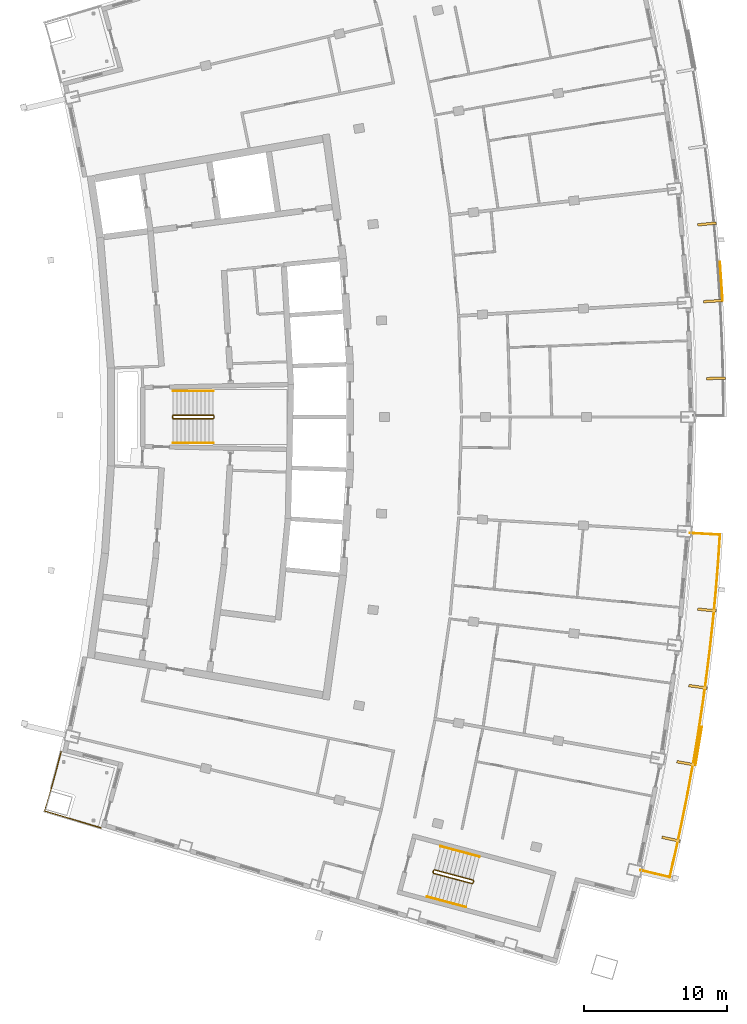
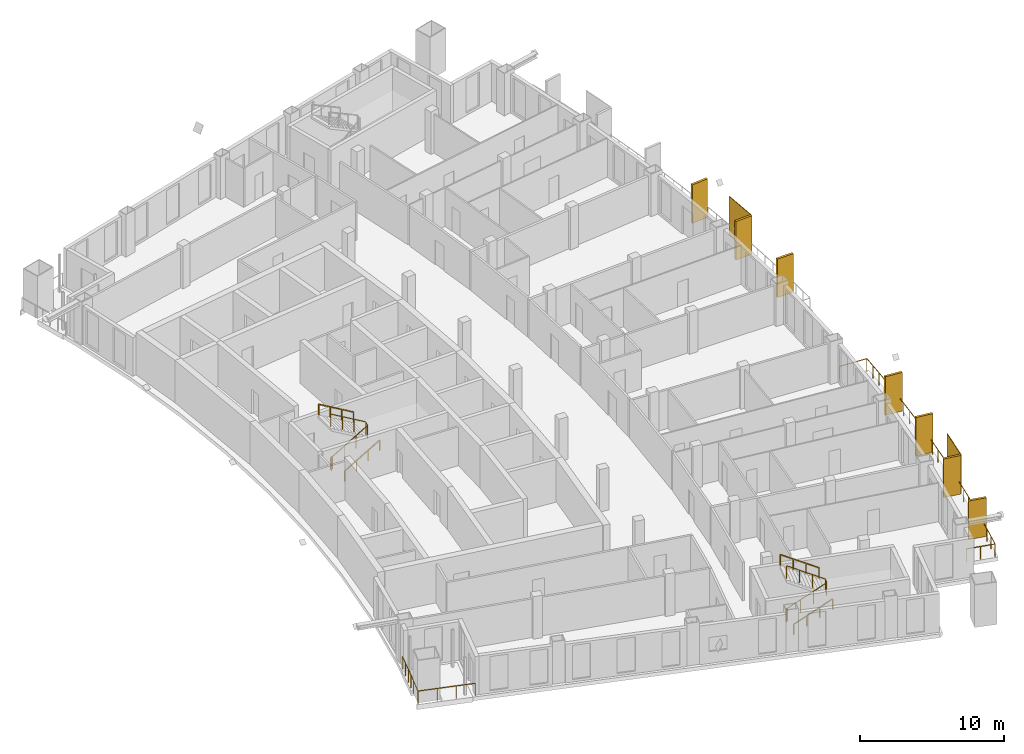
# One storey, part 14 of 15: 9 shading devices, 8 railings.
"""IFC4 building model written with IfcOpenShell, lengths in metres."""

from ifc_helpers import new_model, si_unit, direction, frame, origin, origin_with_axes, origin_2d, place, context, subcontext, project, spatial, rectangle, extrude, material, layer, layer_set, type_object, element, save


model = new_model("IFC4")

# Units and contexts
model_context = context("Model", 3, precision=1e-05, world=origin(), true_north=direction((0.0, 1.0)))
body_context = subcontext(model_context, "Body", "Model", "MODEL_VIEW")
ifc_project = project(units=[si_unit("LENGTHUNIT", "METRE"), si_unit("AREAUNIT", "SQUARE_METRE"), si_unit("VOLUMEUNIT", "CUBIC_METRE"), si_unit("PLANEANGLEUNIT", "RADIAN"), si_unit("MASSUNIT", "GRAM", prefix="KILO")], contexts=[model_context])

# Site, building, storey
site_placement = place(None, origin())
site = spatial("IfcSite", under=ifc_project, at=site_placement, CompositionType="ELEMENT")
building_placement = place(site_placement, origin())
building = spatial("IfcBuilding", under=site, at=building_placement, Name="Alderwake Tower", CompositionType="ELEMENT")
storey_placement = place(building_placement, frame((0.0, 0.0, 252.800048828125)))
storey = spatial("IfcBuildingStorey", under=building, at=storey_placement, Name="L62", CompositionType="ELEMENT", Elevation=252.800048828125)

# Railings
ifc_material_1 = material(Name="Stainless steel 316 rail and posts", Category="steel")
railing_type_1 = type_object("IfcRailingType", Name="Balcony guard 1100", PredefinedType="GUARDRAIL", material=ifc_material_1)
railing_1_placement = place(storey_placement, frame((53.69921875, 29.325927734375, 0.0)))
element("IfcRailing", 1, at=railing_1_placement, inside=storey, type_object=railing_type_1, Name="Guard BF03", PredefinedType="GUARDRAIL", context=body_context, shape_type="SweptSolid", body=[
    extrude(rectangle(XDim=0.048095703125, YDim=0.048095703125, at=origin_2d()), frame((0.0, 0.0, 1.076171875), z_axis=(0.973069996158, -0.230509831846, 0.0), x_axis=(0.230509831846, 0.973069996158, 0.0)), (0.0, 0.0, 1.0), 2.100341796875),
    extrude(rectangle(XDim=0.048095703125, YDim=0.048095703125, at=origin_2d()), frame((2.043701171875, -0.484130859375, 1.076171875), z_axis=(0.223633448533, 0.974673319988, 0.0), x_axis=(-0.974673319988, 0.223633448533, 0.0)), (0.0, 0.0, 1.0), 1.9345703125),
    extrude(rectangle(XDim=0.048095703125, YDim=0.048095703125, at=origin_2d()), frame((2.476318359375, 1.4013671875, 1.076171875), z_axis=(0.209897885741, 0.977723313398, 0.0), x_axis=(-0.977723313398, 0.209897885741, 0.0)), (0.0, 0.0, 1.0), 2.034423828125),
    extrude(rectangle(XDim=0.048095703125, YDim=0.048095703125, at=origin_2d()), frame((2.9033203125, 3.390380859375, 1.076171875), z_axis=(0.195631417955, 0.980677494546, 0.0), x_axis=(-0.980677494546, 0.195631417955, 0.0)), (0.0, 0.0, 1.0), 2.0341796875),
    extrude(rectangle(XDim=0.048095703125, YDim=0.048095703125, at=origin_2d()), frame((3.30126953125, 5.38525390625, 1.076171875), z_axis=(0.181324306286, 0.983423355402, 0.0), x_axis=(-0.983423355402, 0.181324306286, 0.0)), (0.0, 0.0, 1.0), 2.034423828125),
    extrude(rectangle(XDim=0.048095703125, YDim=0.048095703125, at=origin_2d()), frame((3.670166015625, 7.385986328125, 1.076171875), z_axis=(0.166928302152, 0.985969037009, 0.0), x_axis=(-0.985969037009, 0.166928302152, 0.0)), (0.0, 0.0, 1.0), 2.034423828125),
    extrude(rectangle(XDim=0.048095703125, YDim=0.048095703125, at=origin_2d()), frame((4.009765625, 9.391845703125, 1.076171875), z_axis=(0.152535132968, 0.988298048774, 0.0), x_axis=(-0.988298048774, 0.152535132968, 0.0)), (0.0, 0.0, 1.0), 2.034423828125),
    extrude(rectangle(XDim=0.048095703125, YDim=0.048095703125, at=origin_2d()), frame((4.320068359375, 11.40234375, 1.076171875), z_axis=(0.138127592806, 0.990414442597, 0.0), x_axis=(-0.990414442597, 0.138127592806, 0.0)), (0.0, 0.0, 1.0), 2.034423828125),
    extrude(rectangle(XDim=0.048095703125, YDim=0.048095703125, at=origin_2d()), frame((4.60107421875, 13.417236328125, 1.076171875), z_axis=(0.123606393187, 0.992331325497, 0.0), x_axis=(-0.992331325497, 0.123606393187, 0.0)), (0.0, 0.0, 1.0), 2.034423828125),
    extrude(rectangle(XDim=0.048095703125, YDim=0.048095703125, at=origin_2d()), frame((4.8525390625, 15.43603515625, 1.076171875), z_axis=(0.109087913088, 0.994032105728, 0.0), x_axis=(-0.994032105728, 0.109087913088, 0.0)), (0.0, 0.0, 1.0), 2.034423828125),
    extrude(rectangle(XDim=0.048095703125, YDim=0.048095703125, at=origin_2d()), frame((5.074462890625, 17.458251953125, 1.076171875), z_axis=(0.094690157844, 0.995506792547, 0.0), x_axis=(-0.995506792547, 0.094690157844, 0.0)), (0.0, 0.0, 1.0), 2.0341796875),
    extrude(rectangle(XDim=0.048095703125, YDim=0.048095703125, at=origin_2d()), frame((5.26708984375, 19.4833984375, 1.076171875), z_axis=(0.080164954989, 0.996781610982, 0.0), x_axis=(-0.996781610982, 0.080164954989, 0.0)), (0.0, 0.0, 1.0), 2.034423828125),
    extrude(rectangle(XDim=0.048095703125, YDim=0.048095703125, at=origin_2d()), frame((5.43017578125, 21.51123046875, 1.076171875), z_axis=(0.065882355364, 0.997827397525, 0.0), x_axis=(-0.997827397525, 0.065882355364, 0.0)), (0.0, 0.0, 1.0), 1.934326171875),
    extrude(rectangle(XDim=0.048095703125, YDim=0.048095703125, at=origin_2d()), frame((5.5576171875, 23.44140625, 1.076171875), z_axis=(-0.998261521477, 0.05894009449, 0.0), x_axis=(-0.05894009449, -0.998261521477, 0.0)), (0.0, 0.0, 1.0), 2.10009765625),
    extrude(rectangle(XDim=0.0419921875, YDim=0.0419921875, at=origin_2d()), frame((0.0, 0.0, 0.0), z_axis=(0.0, 0.0, 1.0), x_axis=(0.973069996158, -0.230509831846, 0.0)), (0.0, 0.0, 1.0), 1.052001953125),
    extrude(rectangle(XDim=0.0419921875, YDim=0.0419921875, at=origin_2d()), frame((1.02197265625, -0.2421875, 0.0), z_axis=(0.0, 0.0, 1.0), x_axis=(0.973069996158, -0.230509831846, 0.0)), (0.0, 0.0, 1.0), 1.052001953125),
    extrude(rectangle(XDim=0.0419921875, YDim=0.0419921875, at=origin_2d()), frame((2.043701171875, -0.484130859375, 0.0), z_axis=(0.0, 0.0, 1.0), x_axis=(0.223633448533, 0.974673319988, 0.0)), (0.0, 0.0, 1.0), 1.052001953125),
    extrude(rectangle(XDim=0.0419921875, YDim=0.0419921875, at=origin_2d()), frame((2.260009765625, 0.45849609375, 0.0), z_axis=(0.0, 0.0, 1.0), x_axis=(0.223633448533, 0.974673319988, 0.0)), (0.0, 0.0, 1.0), 1.052001953125),
    extrude(rectangle(XDim=0.0419921875, YDim=0.0419921875, at=origin_2d()), frame((2.476318359375, 1.4013671875, 0.0), z_axis=(0.0, 0.0, 1.0), x_axis=(0.209897885741, 0.977723313398, 0.0)), (0.0, 0.0, 1.0), 1.052001953125),
    extrude(rectangle(XDim=0.0419921875, YDim=0.0419921875, at=origin_2d()), frame((2.68994140625, 2.39599609375, 0.0), z_axis=(0.0, 0.0, 1.0), x_axis=(0.209897885741, 0.977723313398, 0.0)), (0.0, 0.0, 1.0), 1.052001953125),
    extrude(rectangle(XDim=0.0419921875, YDim=0.0419921875, at=origin_2d()), frame((2.9033203125, 3.390380859375, 0.0), z_axis=(0.0, 0.0, 1.0), x_axis=(0.195631417955, 0.980677494546, 0.0)), (0.0, 0.0, 1.0), 1.052001953125),
    extrude(rectangle(XDim=0.0419921875, YDim=0.0419921875, at=origin_2d()), frame((3.102294921875, 4.3876953125, 0.0), z_axis=(0.0, 0.0, 1.0), x_axis=(0.195631417955, 0.980677494546, 0.0)), (0.0, 0.0, 1.0), 1.052001953125),
    extrude(rectangle(XDim=0.0419921875, YDim=0.0419921875, at=origin_2d()), frame((3.30126953125, 5.38525390625, 0.0), z_axis=(0.0, 0.0, 1.0), x_axis=(0.181324306286, 0.983423355402, 0.0)), (0.0, 0.0, 1.0), 1.052001953125),
    extrude(rectangle(XDim=0.0419921875, YDim=0.0419921875, at=origin_2d()), frame((3.48583984375, 6.3857421875, 0.0), z_axis=(0.0, 0.0, 1.0), x_axis=(0.181324306286, 0.983423355402, 0.0)), (0.0, 0.0, 1.0), 1.052001953125),
    extrude(rectangle(XDim=0.0419921875, YDim=0.0419921875, at=origin_2d()), frame((3.670166015625, 7.385986328125, 0.0), z_axis=(0.0, 0.0, 1.0), x_axis=(0.166928302152, 0.985969037009, 0.0)), (0.0, 0.0, 1.0), 1.052001953125),
    extrude(rectangle(XDim=0.0419921875, YDim=0.0419921875, at=origin_2d()), frame((3.83984375, 8.388916015625, 0.0), z_axis=(0.0, 0.0, 1.0), x_axis=(0.166928302152, 0.985969037009, 0.0)), (0.0, 0.0, 1.0), 1.052001953125),
    extrude(rectangle(XDim=0.0419921875, YDim=0.0419921875, at=origin_2d()), frame((4.009765625, 9.391845703125, 0.0), z_axis=(0.0, 0.0, 1.0), x_axis=(0.152535132968, 0.988298048774, 0.0)), (0.0, 0.0, 1.0), 1.052001953125),
    extrude(rectangle(XDim=0.0419921875, YDim=0.0419921875, at=origin_2d()), frame((4.1650390625, 10.39697265625, 0.0), z_axis=(0.0, 0.0, 1.0), x_axis=(0.152535132968, 0.988298048774, 0.0)), (0.0, 0.0, 1.0), 1.052001953125),
    extrude(rectangle(XDim=0.0419921875, YDim=0.0419921875, at=origin_2d()), frame((4.320068359375, 11.40234375, 0.0), z_axis=(0.0, 0.0, 1.0), x_axis=(0.138127592806, 0.990414442597, 0.0)), (0.0, 0.0, 1.0), 1.052001953125),
    extrude(rectangle(XDim=0.0419921875, YDim=0.0419921875, at=origin_2d()), frame((4.46044921875, 12.40966796875, 0.0), z_axis=(0.0, 0.0, 1.0), x_axis=(0.138127592806, 0.990414442597, 0.0)), (0.0, 0.0, 1.0), 1.052001953125),
    extrude(rectangle(XDim=0.0419921875, YDim=0.0419921875, at=origin_2d()), frame((4.60107421875, 13.417236328125, 0.0), z_axis=(0.0, 0.0, 1.0), x_axis=(0.123606393187, 0.992331325497, 0.0)), (0.0, 0.0, 1.0), 1.052001953125),
    extrude(rectangle(XDim=0.0419921875, YDim=0.0419921875, at=origin_2d()), frame((4.726806640625, 14.4267578125, 0.0), z_axis=(0.0, 0.0, 1.0), x_axis=(0.123606393187, 0.992331325497, 0.0)), (0.0, 0.0, 1.0), 1.052001953125),
    extrude(rectangle(XDim=0.0419921875, YDim=0.0419921875, at=origin_2d()), frame((4.8525390625, 15.43603515625, 0.0), z_axis=(0.0, 0.0, 1.0), x_axis=(0.109087913088, 0.994032105728, 0.0)), (0.0, 0.0, 1.0), 1.052001953125),
    extrude(rectangle(XDim=0.0419921875, YDim=0.0419921875, at=origin_2d()), frame((4.96337890625, 16.447265625, 0.0), z_axis=(0.0, 0.0, 1.0), x_axis=(0.109087913088, 0.994032105728, 0.0)), (0.0, 0.0, 1.0), 1.052001953125),
    extrude(rectangle(XDim=0.0419921875, YDim=0.0419921875, at=origin_2d()), frame((5.074462890625, 17.458251953125, 0.0), z_axis=(0.0, 0.0, 1.0), x_axis=(0.094690157844, 0.995506792547, 0.0)), (0.0, 0.0, 1.0), 1.052001953125),
    extrude(rectangle(XDim=0.0419921875, YDim=0.0419921875, at=origin_2d()), frame((5.1708984375, 18.470703125, 0.0), z_axis=(0.0, 0.0, 1.0), x_axis=(0.094690157844, 0.995506792547, 0.0)), (0.0, 0.0, 1.0), 1.052001953125),
    extrude(rectangle(XDim=0.0419921875, YDim=0.0419921875, at=origin_2d()), frame((5.26708984375, 19.4833984375, 0.0), z_axis=(0.0, 0.0, 1.0), x_axis=(0.080164954989, 0.996781610982, 0.0)), (0.0, 0.0, 1.0), 1.052001953125),
    extrude(rectangle(XDim=0.0419921875, YDim=0.0419921875, at=origin_2d()), frame((5.3486328125, 20.497314453125, 0.0), z_axis=(0.0, 0.0, 1.0), x_axis=(0.080164954989, 0.996781610982, 0.0)), (0.0, 0.0, 1.0), 1.052001953125),
    extrude(rectangle(XDim=0.0419921875, YDim=0.0419921875, at=origin_2d()), frame((5.43017578125, 21.51123046875, 0.0), z_axis=(0.0, 0.0, 1.0), x_axis=(0.065882355364, 0.997827397525, 0.0)), (0.0, 0.0, 1.0), 1.052001953125),
    extrude(rectangle(XDim=0.0419921875, YDim=0.0419921875, at=origin_2d()), frame((5.493896484375, 22.476318359375, 0.0), z_axis=(0.0, 0.0, 1.0), x_axis=(0.065882355364, 0.997827397525, 0.0)), (0.0, 0.0, 1.0), 1.052001953125),
    extrude(rectangle(XDim=0.0419921875, YDim=0.0419921875, at=origin_2d()), frame((5.5576171875, 23.44140625, 0.0), z_axis=(0.0, 0.0, 1.0), x_axis=(-0.998261521477, 0.05894009449, 0.0)), (0.0, 0.0, 1.0), 1.052001953125),
    extrude(rectangle(XDim=0.0419921875, YDim=0.0419921875, at=origin_2d()), frame((4.50927734375, 23.50341796875, 0.0), z_axis=(0.0, 0.0, 1.0), x_axis=(-0.998261521477, 0.05894009449, 0.0)), (0.0, 0.0, 1.0), 1.052001953125),
    extrude(rectangle(XDim=0.0419921875, YDim=0.0419921875, at=origin_2d()), frame((3.461181640625, 23.565185546875, 0.0), z_axis=(0.0, 0.0, 1.0), x_axis=(-0.998261521477, 0.05894009449, 0.0)), (0.0, 0.0, 1.0), 1.052001953125),
])
railing_2_placement = place(storey_placement, frame((13.210693359375, 37.612548828125, 0.0)))
element("IfcRailing", 2, at=railing_2_placement, inside=storey, type_object=railing_type_1, Name="Guard terrace RS", PredefinedType="GUARDRAIL", context=body_context, shape_type="SweptSolid", body=[
    extrude(rectangle(XDim=0.048095703125, YDim=0.048095703125, at=origin_2d()), frame((0.0, 0.0, 1.076171875), z_axis=(-0.251385381433, -0.967887075026, 0.0), x_axis=(0.967887075026, -0.251385381433, 0.0)), (0.0, 0.0, 1.0), 1.6015625),
    extrude(rectangle(XDim=0.048095703125, YDim=0.048095703125, at=origin_2d()), frame((-0.402587890625, -1.550048828125, 1.076171875), z_axis=(-0.266520638672, -0.963829211615, 0.0), x_axis=(0.963829211615, -0.266520638672, 0.0)), (0.0, 0.0, 1.0), 1.401611328125),
    extrude(rectangle(XDim=0.048095703125, YDim=0.048095703125, at=origin_2d()), frame((-0.776123046875, -2.90087890625, 1.076171875), z_axis=(-0.280093650878, -0.959972680204, 0.0), x_axis=(0.959972680204, -0.280093650878, 0.0)), (0.0, 0.0, 1.0), 1.30126953125),
    extrude(rectangle(XDim=0.048095703125, YDim=0.048095703125, at=origin_2d()), frame((-1.140625, -4.150146484375, 1.076171875), z_axis=(0.958066871889, -0.286544706789, 0.0), x_axis=(0.286544706789, 0.958066871889, 0.0)), (0.0, 0.0, 1.0), 4.099853515625),
    extrude(rectangle(XDim=0.0419921875, YDim=0.0419921875, at=origin_2d()), frame((0.0, 0.0, 0.0), z_axis=(0.0, 0.0, 1.0), x_axis=(-0.251385381433, -0.967887075026, 0.0)), (0.0, 0.0, 1.0), 1.052001953125),
    extrude(rectangle(XDim=0.0419921875, YDim=0.0419921875, at=origin_2d()), frame((-0.201171875, -0.77490234375, 0.0), z_axis=(0.0, 0.0, 1.0), x_axis=(-0.251385381433, -0.967887075026, 0.0)), (0.0, 0.0, 1.0), 1.052001953125),
    extrude(rectangle(XDim=0.0419921875, YDim=0.0419921875, at=origin_2d()), frame((-0.402587890625, -1.550048828125, 0.0), z_axis=(0.0, 0.0, 1.0), x_axis=(-0.266520638672, -0.963829211615, 0.0)), (0.0, 0.0, 1.0), 1.052001953125),
    extrude(rectangle(XDim=0.0419921875, YDim=0.0419921875, at=origin_2d()), frame((-0.58935546875, -2.2255859375, 0.0), z_axis=(0.0, 0.0, 1.0), x_axis=(-0.266520638672, -0.963829211615, 0.0)), (0.0, 0.0, 1.0), 1.052001953125),
    extrude(rectangle(XDim=0.0419921875, YDim=0.0419921875, at=origin_2d()), frame((-0.776123046875, -2.90087890625, 0.0), z_axis=(0.0, 0.0, 1.0), x_axis=(-0.280093650878, -0.959972680204, 0.0)), (0.0, 0.0, 1.0), 1.052001953125),
    extrude(rectangle(XDim=0.0419921875, YDim=0.0419921875, at=origin_2d()), frame((-1.140625, -4.150146484375, 0.0), z_axis=(0.0, 0.0, 1.0), x_axis=(0.958066871889, -0.286544706789, 0.0)), (0.0, 0.0, 1.0), 1.052001953125),
    extrude(rectangle(XDim=0.0419921875, YDim=0.0419921875, at=origin_2d()), frame((0.168701171875, -4.541748046875, 0.0), z_axis=(0.0, 0.0, 1.0), x_axis=(0.958066871889, -0.286544706789, 0.0)), (0.0, 0.0, 1.0), 1.052001953125),
    extrude(rectangle(XDim=0.0419921875, YDim=0.0419921875, at=origin_2d()), frame((1.47802734375, -4.933349609375, 0.0), z_axis=(0.0, 0.0, 1.0), x_axis=(0.958066871889, -0.286544706789, 0.0)), (0.0, 0.0, 1.0), 1.052001953125),
    extrude(rectangle(XDim=0.0419921875, YDim=0.0419921875, at=origin_2d()), frame((2.787353515625, -5.324951171875, 0.0), z_axis=(0.0, 0.0, 1.0), x_axis=(0.958066871889, -0.286544706789, 0.0)), (0.0, 0.0, 1.0), 1.052001953125),
])

# Shading devices
ifc_material_2 = material(Name="Bronze anodised aluminium", Category="aluminium")
ifc_layer_1 = layer(ifc_material_2, 0.179931640625)
ifc_layer_set_1 = layer_set([ifc_layer_1], Name="Facade fin 1300")
shading_device_type_1 = type_object("IfcShadingDeviceType", Name="Facade fin 1300", PredefinedType="USERDEFINED", material=ifc_layer_set_1)
for number, where, z_axis, x_axis, name in (
    (3, (55.832275390625, 31.494140625, 0.0), (0.0, 0.0, 1.0), (0.977210363881, -0.212273184185, 0.0), "Fin"),
    (4, (56.876953125, 36.799072265625, 0.0), (0.0, 0.0, 1.0), (0.984726421654, -0.174108800747, 0.0), "Fin"),
    (5, (57.714599609375, 42.140380859375, 0.0), (0.0, 0.0, 1.0), (0.990752577235, -0.135680988728, 0.0), "Fin"),
    (6, (58.343994140625, 47.510498046875, 0.0), (0.0, 0.0, 1.0), (0.995279882363, -0.097046152751, 0.0), "Fin"),
    (7, (58.973876953125, 63.6962890625, 0.0), (0.0, 0.0, 1.0), (0.999811838809, 0.019398117887, 0.0), "Fin"),
    (8, (58.763916015625, 69.09912109375, 0.0), (0.0, 0.0, 1.0), (0.998301080988, 0.058266214038, 0.0), "Fin"),
    (9, (58.343994140625, 74.489501953125, 0.0), (0.0, 0.0, 1.0), (0.995279882363, 0.097046152751, 0.0), "Fin"),
):
    element("IfcShadingDevice", number, at=place(storey_placement, frame(where, z_axis=z_axis, x_axis=x_axis)), inside=storey, type_object=shading_device_type_1, Name=name, ObjectType="FIN", PredefinedType="USERDEFINED", context=body_context, shape_type="SweptSolid", body=[
        extrude(rectangle(XDim=1.300048828125, YDim=0.179931640625, at=origin_2d()), origin(), (0.0, 0.0, 1.0), 3.280029296875),
    ])
ifc_material_3 = material(Name="Perforated bronze anodised aluminium", Category="aluminium")
ifc_layer_2 = layer(ifc_material_3, 0.050048828125)
ifc_layer_set_2 = layer_set([ifc_layer_2], Name="Perforated screen panel")
shading_device_type_2 = type_object("IfcShadingDeviceType", Name="Perforated screen panel", PredefinedType="USERDEFINED", material=ifc_layer_set_2)
shading_device_1_placement = place(storey_placement, frame((57.7646484375, 38.017822265625, 0.0), z_axis=(0.0, 0.0, 1.0), x_axis=(0.986369013299, -0.164548380739, 0.0)))
element("IfcShadingDevice", 10, at=shading_device_1_placement, inside=storey, type_object=shading_device_type_2, Name="Screen panel", ObjectType="SCREEN", PredefinedType="USERDEFINED", context=body_context, shape_type="SweptSolid", body=[
    extrude(rectangle(XDim=0.050048828125, YDim=2.709716796875, at=origin_2d()), origin(), (0.0, 0.0, 1.0), 3.280029296875),
])
shading_device_2_placement = place(storey_placement, frame((59.34521484375, 70.4970703125, 0.0), z_axis=(0.0, 0.0, 1.0), x_axis=(0.997685465774, 0.067997877779, 0.0)))
element("IfcShadingDevice", 11, at=shading_device_2_placement, inside=storey, type_object=shading_device_type_2, Name="Screen panel", ObjectType="SCREEN", PredefinedType="USERDEFINED", context=body_context, shape_type="SweptSolid", body=[
    extrude(rectangle(XDim=0.050048828125, YDim=2.7236328125, at=origin_2d()), origin(), (0.0, 0.0, 1.0), 3.280029296875),
])

# Railings
ifc_material_4 = material(Name="Stainless steel guard", Category="steel")
railing_type_2 = type_object("IfcRailingType", Name="Stair guard 1100", PredefinedType="GUARDRAIL", material=ifc_material_4)
railing_3_placement = place(storey_placement, frame((20.989990234375, 60.925048828125, 0.0)))
element("IfcRailing", 12, at=railing_3_placement, inside=storey, type_object=railing_type_2, Name="L62 ST-B stair guard 1", PredefinedType="GUARDRAIL", context=body_context, shape_type="SweptSolid", body=[
    extrude(rectangle(XDim=0.048095703125, YDim=0.048095703125, at=origin_2d()), frame((0.0, 0.0, 1.076171875), z_axis=(0.0, 1.0, 0.0), x_axis=(-1.0, 0.0, 0.0)), (0.0, 0.0, 1.0), 0.14990234375),
    extrude(rectangle(XDim=0.048095703125, YDim=0.048095703125, at=origin_2d()), frame((0.0, 0.14990234375, 1.076171875), z_axis=(0.190199549216, -0.759870394187, 0.621627795), x_axis=(0.970072785993, 0.242814311512, 0.0)), (0.0, 0.0, 1.0), 0.26318359375),
    extrude(rectangle(XDim=0.048095703125, YDim=0.048095703125, at=origin_2d()), frame((0.050048828125, -0.050048828125, 1.23974609375), z_axis=(0.863360870873, 0.0, 0.504586966384), x_axis=(0.0, 1.0, 0.0)), (0.0, 0.0, 1.0), 3.2431640625),
    extrude(rectangle(XDim=0.048095703125, YDim=0.048095703125, at=origin_2d()), frame((2.85009765625, -0.050048828125, 2.8759765625), z_axis=(0.705375805398, 0.708833529934, 0.0), x_axis=(-0.708833529934, 0.705375805398, 0.0)), (0.0, 0.0, 1.0), 0.070556640625),
    extrude(rectangle(XDim=0.048095703125, YDim=0.048095703125, at=origin_2d()), frame((2.89990234375, 0.0, 2.8759765625), z_axis=(0.0, 1.0, 0.0), x_axis=(-1.0, 0.0, 0.0)), (0.0, 0.0, 1.0), 0.14990234375),
    extrude(rectangle(XDim=0.048095703125, YDim=0.048095703125, at=origin_2d()), frame((2.89990234375, 0.14990234375, 2.8759765625), z_axis=(-0.279546231943, 0.280916556609, 0.91811752648), x_axis=(-0.708833529934, -0.705375805398, 0.0)), (0.0, 0.0, 1.0), 0.17822265625),
    extrude(rectangle(XDim=0.048095703125, YDim=0.048095703125, at=origin_2d()), frame((2.85009765625, 0.199951171875, 3.03955078125), z_axis=(-0.863393664356, 0.0, 0.504530851732), x_axis=(0.0, -1.0, 0.0)), (0.0, 0.0, 1.0), 3.2431640625),
    extrude(rectangle(XDim=0.0419921875, YDim=0.0419921875, at=origin_2d()), frame((0.0, 0.0, 0.0), z_axis=(0.0, 0.0, 1.0), x_axis=(0.0, 1.0, 0.0)), (0.0, 0.0, 1.0), 1.052001953125),
    extrude(rectangle(XDim=0.0419921875, YDim=0.0419921875, at=origin_2d()), frame((0.0, 0.14990234375, 0.0), z_axis=(0.0, 0.0, 1.0), x_axis=(0.242814311512, -0.970072785993, 0.0)), (0.0, 0.0, 1.0), 1.052001953125),
    extrude(rectangle(XDim=0.0419921875, YDim=0.0419921875, at=origin_2d()), frame((0.050048828125, -0.050048828125, 0.16357421875), z_axis=(0.0, 0.0, 1.0), x_axis=(1.0, 0.0, 0.0)), (0.0, 0.0, 1.0), 1.052001953125),
    extrude(rectangle(XDim=0.0419921875, YDim=0.0419921875, at=origin_2d()), frame((0.9833984375, -0.050048828125, 0.708984375), z_axis=(0.0, 0.0, 1.0), x_axis=(1.0, 0.0, 0.0)), (0.0, 0.0, 1.0), 1.052001953125),
    extrude(rectangle(XDim=0.0419921875, YDim=0.0419921875, at=origin_2d()), frame((1.916748046875, -0.050048828125, 1.254638671875), z_axis=(0.0, 0.0, 1.0), x_axis=(1.0, 0.0, 0.0)), (0.0, 0.0, 1.0), 1.052001953125),
    extrude(rectangle(XDim=0.0419921875, YDim=0.0419921875, at=origin_2d()), frame((2.85009765625, -0.050048828125, 1.800048828125), z_axis=(0.0, 0.0, 1.0), x_axis=(0.705375805398, 0.708833529934, 0.0)), (0.0, 0.0, 1.0), 1.052001953125),
    extrude(rectangle(XDim=0.0419921875, YDim=0.0419921875, at=origin_2d()), frame((2.89990234375, 0.0, 1.800048828125), z_axis=(0.0, 0.0, 1.0), x_axis=(0.0, 1.0, 0.0)), (0.0, 0.0, 1.0), 1.052001953125),
    extrude(rectangle(XDim=0.0419921875, YDim=0.0419921875, at=origin_2d()), frame((2.89990234375, 0.14990234375, 1.800048828125), z_axis=(0.0, 0.0, 1.0), x_axis=(-0.705375805398, 0.708833529934, 0.0)), (0.0, 0.0, 1.0), 1.052001953125),
    extrude(rectangle(XDim=0.0419921875, YDim=0.0419921875, at=origin_2d()), frame((2.85009765625, 0.199951171875, 1.963623046875), z_axis=(0.0, 0.0, 1.0), x_axis=(-1.0, 0.0, 0.0)), (0.0, 0.0, 1.0), 1.052001953125),
    extrude(rectangle(XDim=0.0419921875, YDim=0.0419921875, at=origin_2d()), frame((1.916748046875, 0.199951171875, 2.509033203125), z_axis=(0.0, 0.0, 1.0), x_axis=(-1.0, 0.0, 0.0)), (0.0, 0.0, 1.0), 1.052001953125),
    extrude(rectangle(XDim=0.0419921875, YDim=0.0419921875, at=origin_2d()), frame((0.9833984375, 0.199951171875, 3.054443359375), z_axis=(0.0, 0.0, 1.0), x_axis=(-1.0, 0.0, 0.0)), (0.0, 0.0, 1.0), 1.052001953125),
    extrude(rectangle(XDim=0.0419921875, YDim=0.0419921875, at=origin_2d()), frame((0.050048828125, 0.199951171875, 3.599853515625), z_axis=(0.0, 0.0, 1.0), x_axis=(-1.0, 0.0, 0.0)), (0.0, 0.0, 1.0), 1.052001953125),
])
railing_4_placement = place(storey_placement, frame((39.1943359375, 29.17431640625, 0.0)))
element("IfcRailing", 13, at=railing_4_placement, inside=storey, type_object=railing_type_2, Name="L62 ST-C stair guard 1", PredefinedType="GUARDRAIL", context=body_context, shape_type="SweptSolid", body=[
    extrude(rectangle(XDim=0.048095703125, YDim=0.048095703125, at=origin_2d()), frame((0.0, 0.0, 1.076171875), z_axis=(0.257459803502, 0.966289009345, 0.0), x_axis=(-0.966289009345, 0.257459803502, 0.0)), (0.0, 0.0, 1.0), 0.14990234375),
    extrude(rectangle(XDim=0.048095703125, YDim=0.048095703125, at=origin_2d()), frame((0.03857421875, 0.144775390625, 1.076171875), z_axis=(-0.012062893862, -0.783160186125, 0.621702991355), x_axis=(0.999881397308, -0.015401016783, 0.0)), (0.0, 0.0, 1.0), 0.26318359375),
    extrude(rectangle(XDim=0.048095703125, YDim=0.048095703125, at=origin_2d()), frame((0.035400390625, -0.061279296875, 1.23974609375), z_axis=(0.834281824786, -0.222214197128, 0.504573768072), x_axis=(0.257380452725, 0.966310148221, 0.0)), (0.0, 0.0, 1.0), 3.2431640625),
    extrude(rectangle(XDim=0.048095703125, YDim=0.048095703125, at=origin_2d()), frame((2.7412109375, -0.781982421875, 2.8759765625), z_axis=(0.865031189262, 0.501718089772, 0.0), x_axis=(-0.501718089772, 0.865031189262, 0.0)), (0.0, 0.0, 1.0), 0.070556640625),
    extrude(rectangle(XDim=0.048095703125, YDim=0.048095703125, at=origin_2d()), frame((2.80224609375, -0.74658203125, 2.8759765625), z_axis=(0.257055032184, 0.966396766566, 0.0), x_axis=(-0.966396766566, 0.257055032184, 0.0)), (0.0, 0.0, 1.0), 0.150146484375),
    extrude(rectangle(XDim=0.048095703125, YDim=0.048095703125, at=origin_2d()), frame((2.8408203125, -0.6015625, 2.8759765625), z_axis=(-0.198625291617, 0.343827228937, 0.91778583023), x_axis=(-0.865898279276, -0.500220121494, 0.0)), (0.0, 0.0, 1.0), 0.17822265625),
    extrude(rectangle(XDim=0.048095703125, YDim=0.048095703125, at=origin_2d()), frame((2.805419921875, -0.540283203125, 3.03955078125), z_axis=(-0.834290631165, 0.222236594766, 0.504549342183), x_axis=(-0.257402139082, -0.966304371715, 0.0)), (0.0, 0.0, 1.0), 3.242919921875),
    extrude(rectangle(XDim=0.0419921875, YDim=0.0419921875, at=origin_2d()), frame((0.0, 0.0, 0.0), z_axis=(0.0, 0.0, 1.0), x_axis=(0.257459803502, 0.966289009345, 0.0)), (0.0, 0.0, 1.0), 1.052001953125),
    extrude(rectangle(XDim=0.0419921875, YDim=0.0419921875, at=origin_2d()), frame((0.03857421875, 0.144775390625, 0.0), z_axis=(0.0, 0.0, 1.0), x_axis=(-0.015401016783, -0.999881397308, 0.0)), (0.0, 0.0, 1.0), 1.052001953125),
    extrude(rectangle(XDim=0.0419921875, YDim=0.0419921875, at=origin_2d()), frame((0.035400390625, -0.061279296875, 0.16357421875), z_axis=(0.0, 0.0, 1.0), x_axis=(0.966310148221, -0.257380452725, 0.0)), (0.0, 0.0, 1.0), 1.052001953125),
    extrude(rectangle(XDim=0.0419921875, YDim=0.0419921875, at=origin_2d()), frame((0.937255859375, -0.301513671875, 0.708984375), z_axis=(0.0, 0.0, 1.0), x_axis=(0.966310148221, -0.257380452725, 0.0)), (0.0, 0.0, 1.0), 1.052001953125),
    extrude(rectangle(XDim=0.0419921875, YDim=0.0419921875, at=origin_2d()), frame((1.83935546875, -0.541748046875, 1.254638671875), z_axis=(0.0, 0.0, 1.0), x_axis=(0.966310148221, -0.257380452725, 0.0)), (0.0, 0.0, 1.0), 1.052001953125),
    extrude(rectangle(XDim=0.0419921875, YDim=0.0419921875, at=origin_2d()), frame((2.7412109375, -0.781982421875, 1.800048828125), z_axis=(0.0, 0.0, 1.0), x_axis=(0.865031189262, 0.501718089772, 0.0)), (0.0, 0.0, 1.0), 1.052001953125),
    extrude(rectangle(XDim=0.0419921875, YDim=0.0419921875, at=origin_2d()), frame((2.80224609375, -0.74658203125, 1.800048828125), z_axis=(0.0, 0.0, 1.0), x_axis=(0.257055032184, 0.966396766566, 0.0)), (0.0, 0.0, 1.0), 1.052001953125),
    extrude(rectangle(XDim=0.0419921875, YDim=0.0419921875, at=origin_2d()), frame((2.8408203125, -0.6015625, 1.800048828125), z_axis=(0.0, 0.0, 1.0), x_axis=(-0.500220121494, 0.865898279276, 0.0)), (0.0, 0.0, 1.0), 1.052001953125),
    extrude(rectangle(XDim=0.0419921875, YDim=0.0419921875, at=origin_2d()), frame((2.805419921875, -0.540283203125, 1.963623046875), z_axis=(0.0, 0.0, 1.0), x_axis=(-0.966304371715, 0.257402139082, 0.0)), (0.0, 0.0, 1.0), 1.052001953125),
    extrude(rectangle(XDim=0.0419921875, YDim=0.0419921875, at=origin_2d()), frame((1.903564453125, -0.300048828125, 2.509033203125), z_axis=(0.0, 0.0, 1.0), x_axis=(-0.966304371715, 0.257402139082, 0.0)), (0.0, 0.0, 1.0), 1.052001953125),
    extrude(rectangle(XDim=0.0419921875, YDim=0.0419921875, at=origin_2d()), frame((1.001708984375, -0.059814453125, 3.054443359375), z_axis=(0.0, 0.0, 1.0), x_axis=(-0.966304371715, 0.257402139082, 0.0)), (0.0, 0.0, 1.0), 1.052001953125),
    extrude(rectangle(XDim=0.0419921875, YDim=0.0419921875, at=origin_2d()), frame((0.099853515625, 0.180419921875, 3.599853515625), z_axis=(0.0, 0.0, 1.0), x_axis=(-0.966304371715, 0.257402139082, 0.0)), (0.0, 0.0, 1.0), 1.052001953125),
])
ifc_material_5 = material(Name="Stainless steel handrail", Category="steel")
railing_type_3 = type_object("IfcRailingType", Name="Stair handrail 900", PredefinedType="HANDRAIL", material=ifc_material_5)
railing_5_placement = place(storey_placement, frame((21.0400390625, 59.175048828125, 0.16357421875)))
element("IfcRailing", 14, at=railing_5_placement, inside=storey, type_object=railing_type_3, Name="L62 ST-B stair handrail 1", PredefinedType="HANDRAIL", context=body_context, shape_type="SweptSolid", body=[
    extrude(rectangle(XDim=0.048095703125, YDim=0.048095703125, at=origin_2d()), frame((0.0, 0.0, 0.8759765625), z_axis=(0.863360870873, 0.0, 0.504586966384), x_axis=(0.0, 1.0, 0.0)), (0.0, 0.0, 1.0), 3.2431640625),
    extrude(rectangle(XDim=0.0419921875, YDim=0.0419921875, at=origin_2d()), origin_with_axes(), (0.0, 0.0, 1.0), 0.851806640625),
    extrude(rectangle(XDim=0.0419921875, YDim=0.0419921875, at=origin_2d()), frame((0.933349609375, 0.0, 0.54541015625), z_axis=(0.0, 0.0, 1.0), x_axis=(1.0, 0.0, 0.0)), (0.0, 0.0, 1.0), 0.851806640625),
    extrude(rectangle(XDim=0.0419921875, YDim=0.0419921875, at=origin_2d()), frame((1.86669921875, 0.0, 1.091064453125), z_axis=(0.0, 0.0, 1.0), x_axis=(1.0, 0.0, 0.0)), (0.0, 0.0, 1.0), 0.851806640625),
    extrude(rectangle(XDim=0.0419921875, YDim=0.0419921875, at=origin_2d()), frame((2.800048828125, 0.0, 1.636474609375), z_axis=(0.0, 0.0, 1.0), x_axis=(1.0, 0.0, 0.0)), (0.0, 0.0, 1.0), 0.851806640625),
])
railing_6_placement = place(storey_placement, frame((23.840087890625, 62.824951171875, 1.963623046875)))
element("IfcRailing", 15, at=railing_6_placement, inside=storey, type_object=railing_type_3, Name="L62 ST-B stair handrail 2", PredefinedType="HANDRAIL", context=body_context, shape_type="SweptSolid", body=[
    extrude(rectangle(XDim=0.048095703125, YDim=0.048095703125, at=origin_2d()), frame((0.0, 0.0, 0.8759765625), z_axis=(-0.863393664356, 0.0, 0.504530851732), x_axis=(0.0, -1.0, 0.0)), (0.0, 0.0, 1.0), 3.2431640625),
    extrude(rectangle(XDim=0.0419921875, YDim=0.0419921875, at=origin_2d()), frame((0.0, 0.0, 0.0), z_axis=(0.0, 0.0, 1.0), x_axis=(-1.0, 0.0, 0.0)), (0.0, 0.0, 1.0), 0.851806640625),
    extrude(rectangle(XDim=0.0419921875, YDim=0.0419921875, at=origin_2d()), frame((-0.933349609375, 0.0, 0.54541015625), z_axis=(0.0, 0.0, 1.0), x_axis=(-1.0, 0.0, 0.0)), (0.0, 0.0, 1.0), 0.851806640625),
    extrude(rectangle(XDim=0.0419921875, YDim=0.0419921875, at=origin_2d()), frame((-1.86669921875, 0.0, 1.0908203125), z_axis=(0.0, 0.0, 1.0), x_axis=(-1.0, 0.0, 0.0)), (0.0, 0.0, 1.0), 0.851806640625),
    extrude(rectangle(XDim=0.0419921875, YDim=0.0419921875, at=origin_2d()), frame((-2.800048828125, 0.0, 1.63623046875), z_axis=(0.0, 0.0, 1.0), x_axis=(-1.0, 0.0, 0.0)), (0.0, 0.0, 1.0), 0.851806640625),
])
railing_7_placement = place(storey_placement, frame((38.792236328125, 27.47021484375, 0.16357421875)))
element("IfcRailing", 16, at=railing_7_placement, inside=storey, type_object=railing_type_3, Name="L62 ST-C stair handrail 1", PredefinedType="HANDRAIL", context=body_context, shape_type="SweptSolid", body=[
    extrude(rectangle(XDim=0.048095703125, YDim=0.048095703125, at=origin_2d()), frame((0.0, 0.0, 0.8759765625), z_axis=(0.834272895437, -0.222156588561, 0.504613898043), x_axis=(0.25732071773, 0.966326056891, 0.0)), (0.0, 0.0, 1.0), 3.242919921875),
    extrude(rectangle(XDim=0.0419921875, YDim=0.0419921875, at=origin_2d()), frame((0.0, 0.0, 0.0), z_axis=(0.0, 0.0, 1.0), x_axis=(0.966326056891, -0.25732071773, 0.0)), (0.0, 0.0, 1.0), 0.851806640625),
    extrude(rectangle(XDim=0.0419921875, YDim=0.0419921875, at=origin_2d()), frame((0.90185546875, -0.240234375, 0.54541015625), z_axis=(0.0, 0.0, 1.0), x_axis=(0.966326056891, -0.25732071773, 0.0)), (0.0, 0.0, 1.0), 0.851806640625),
    extrude(rectangle(XDim=0.0419921875, YDim=0.0419921875, at=origin_2d()), frame((1.8037109375, -0.480224609375, 1.091064453125), z_axis=(0.0, 0.0, 1.0), x_axis=(0.966326056891, -0.25732071773, 0.0)), (0.0, 0.0, 1.0), 0.851806640625),
    extrude(rectangle(XDim=0.0419921875, YDim=0.0419921875, at=origin_2d()), frame((2.70556640625, -0.720458984375, 1.636474609375), z_axis=(0.0, 0.0, 1.0), x_axis=(0.966326056891, -0.25732071773, 0.0)), (0.0, 0.0, 1.0), 0.851806640625),
])
railing_8_placement = place(storey_placement, frame((42.437255859375, 30.276611328125, 1.963623046875)))
element("IfcRailing", 17, at=railing_8_placement, inside=storey, type_object=railing_type_3, Name="L62 ST-C stair handrail 2", PredefinedType="HANDRAIL", context=body_context, shape_type="SweptSolid", body=[
    extrude(rectangle(XDim=0.048095703125, YDim=0.048095703125, at=origin_2d()), frame((0.0, 0.0, 0.8759765625), z_axis=(-0.834290631165, 0.222236594766, 0.504549342183), x_axis=(-0.257402139082, -0.966304371715, 0.0)), (0.0, 0.0, 1.0), 3.242919921875),
    extrude(rectangle(XDim=0.0419921875, YDim=0.0419921875, at=origin_2d()), frame((0.0, 0.0, 0.0), z_axis=(0.0, 0.0, 1.0), x_axis=(-0.966304371715, 0.257402139082, 0.0)), (0.0, 0.0, 1.0), 0.851806640625),
    extrude(rectangle(XDim=0.0419921875, YDim=0.0419921875, at=origin_2d()), frame((-0.90185546875, 0.240234375, 0.54541015625), z_axis=(0.0, 0.0, 1.0), x_axis=(-0.966304371715, 0.257402139082, 0.0)), (0.0, 0.0, 1.0), 0.851806640625),
    extrude(rectangle(XDim=0.0419921875, YDim=0.0419921875, at=origin_2d()), frame((-1.8037109375, 0.48046875, 1.0908203125), z_axis=(0.0, 0.0, 1.0), x_axis=(-0.966304371715, 0.257402139082, 0.0)), (0.0, 0.0, 1.0), 0.851806640625),
    extrude(rectangle(XDim=0.0419921875, YDim=0.0419921875, at=origin_2d()), frame((-2.70556640625, 0.720703125, 1.63623046875), z_axis=(0.0, 0.0, 1.0), x_axis=(-0.966304371715, 0.257402139082, 0.0)), (0.0, 0.0, 1.0), 0.851806640625),
])

save(model, "model.ifc")
